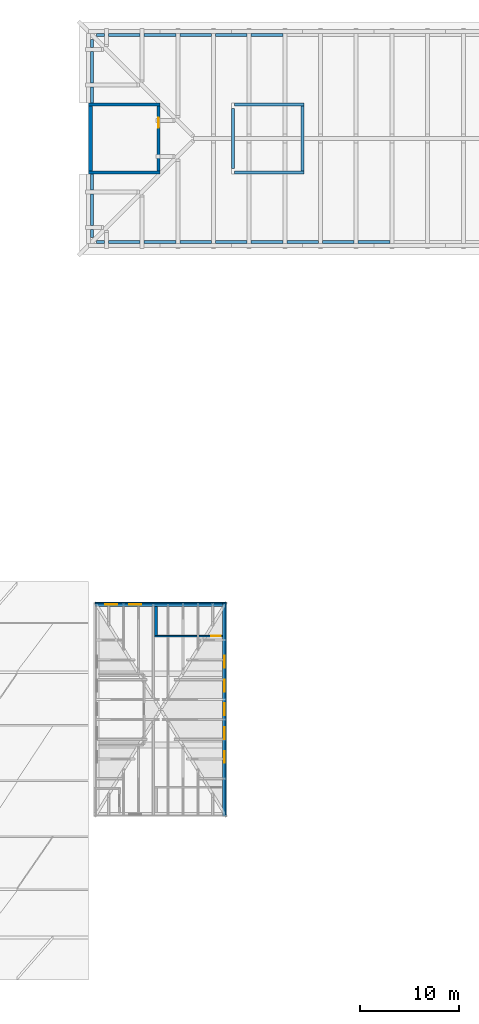
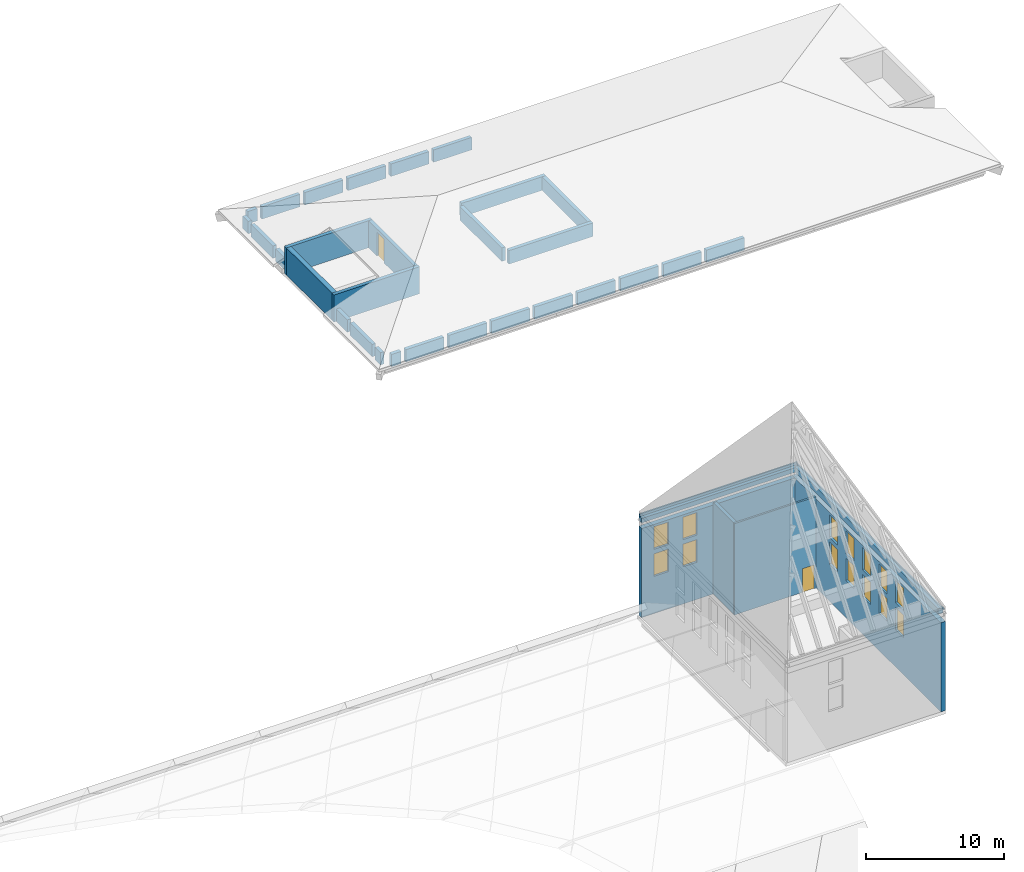
# One storey, part 6 of 8: 37 walls, 14 windows, 2 doors, 16 openings.
"""IFC4 building model written with IfcOpenShell, lengths in metres."""

from ifc_helpers import new_model, si_unit, direction, frame, frame_2d, origin, place, context, subcontext, project, spatial, rectangle, extrude, material, layer, layer_set, type_object, element, fill, save


model = new_model("IFC4")

# Units and contexts
model_context = context("Model", 3, precision=1e-05, world=origin(), true_north=direction((0.0, 1.0)))
body_context = subcontext(model_context, "Body", "Model", "MODEL_VIEW")
ifc_project = project(units=[si_unit("LENGTHUNIT", "METRE"), si_unit("AREAUNIT", "SQUARE_METRE"), si_unit("VOLUMEUNIT", "CUBIC_METRE"), si_unit("PLANEANGLEUNIT", "RADIAN"), si_unit("MASSUNIT", "GRAM", prefix="KILO")], contexts=[model_context])

# Site, building, storey
site_placement = place(None, origin())
site = spatial("IfcSite", under=ifc_project, at=site_placement, CompositionType="ELEMENT")
building_placement = place(site_placement, origin())
building = spatial("IfcBuilding", under=site, at=building_placement, Name="Vermilion Court Aquatics Centre", CompositionType="ELEMENT")
storey_placement = place(building_placement, frame((0.0, 0.0, 23.300048828125)))
storey = spatial("IfcBuildingStorey", under=building, at=storey_placement, Name="ROOF", CompositionType="ELEMENT", Elevation=23.300048828125)

# Walls
ifc_material_1 = material(Name="Terracotta cladding", Category="masonry")
ifc_layer_1 = layer(ifc_material_1, 0.1201171875)
ifc_layer_set_1 = layer_set([ifc_layer_1], Name="Diving Tower crown eaves fascia 120")
wall_type_1 = type_object("IfcWallType", Name="Diving Tower crown eaves fascia 120", PredefinedType="PARAPET", material=ifc_layer_set_1)
wall_1_placement = place(storey_placement, frame((144.64990234375, 57.5400390625, 8.792724609375), z_axis=(0.0, 0.0, 1.0), x_axis=(1.0, 0.0, 0.0)))
element("IfcWall", 1, at=wall_1_placement, inside=storey, type_object=wall_type_1, Name="Diving Tower crown eaves fascia N", PredefinedType="PARAPET", context=body_context, shape_type="SweptSolid", body=[
    extrude(rectangle(XDim=13.25, YDim=0.1201171875, at=frame_2d((6.625, 0.0))), origin(), (0.0, 0.0, 1.0), 0.212890625),
])
wall_2_placement = place(storey_placement, frame((157.840087890625, 36.1201171875, 8.915283203125), z_axis=(0.0, 0.0, 1.0), x_axis=(0.0, 1.0, 0.0)))
element("IfcWall", 2, at=wall_2_placement, inside=storey, type_object=wall_type_1, Name="Diving Tower crown eaves fascia E", PredefinedType="PARAPET", context=body_context, shape_type="SweptSolid", body=[
    extrude(rectangle(XDim=21.35986328125, YDim=0.1201171875, at=frame_2d((10.679931640625, 0.0))), origin(), (0.0, 0.0, 1.0), 0.006103515625),
])
ifc_material_2 = material(Name="Concrete 8000 psi", Category="concrete")
ifc_layer_2 = layer(ifc_material_2, 0.39990234375)
ifc_layer_set_2 = layer_set([ifc_layer_2], Name="Diving Tower crown eaves kerb 400")
wall_type_2 = type_object("IfcWallType", Name="Diving Tower crown eaves kerb 400", PredefinedType="PARAPET", material=ifc_layer_set_2)
wall_3_placement = place(storey_placement, frame((144.64990234375, 57.39990234375, 8.39990234375), z_axis=(0.0, 0.0, 1.0), x_axis=(1.0, 0.0, 0.0)))
element("IfcWall", 3, at=wall_3_placement, inside=storey, type_object=wall_type_2, Name="Diving Tower crown eaves kerb N", PredefinedType="PARAPET", context=body_context, shape_type="SweptSolid", body=[
    extrude(rectangle(XDim=13.25, YDim=0.39990234375, at=frame_2d((6.625, 0.0))), origin(), (0.0, 0.0, 1.0), 0.392822265625),
])
wall_4_placement = place(storey_placement, frame((157.699951171875, 36.39990234375, 8.39990234375), z_axis=(0.0, 0.0, 1.0), x_axis=(0.0, 1.0, 0.0)))
element("IfcWall", 4, at=wall_4_placement, inside=storey, type_object=wall_type_2, Name="Diving Tower crown eaves kerb E", PredefinedType="PARAPET", context=body_context, shape_type="SweptSolid", body=[
    extrude(rectangle(XDim=20.800048828125, YDim=0.39990234375, at=frame_2d((10.39990234375, 0.0))), origin(), (0.0, 0.0, 1.0), 0.515380859375),
])

# Wall, openings, windows
ifc_material_3 = material(Name="Brick masonry", Category="masonry")
ifc_layer_3 = layer(ifc_material_3, 0.39990234375)
ifc_layer_set_3 = layer_set([ifc_layer_3], Name="Diving Tower plant shaft wall 400")
wall_type_3 = type_object("IfcWallType", Name="Diving Tower plant shaft wall 400", PredefinedType="SOLIDWALL", material=ifc_layer_set_3)
wall_5_placement = place(storey_placement, frame((144.64990234375, 57.39990234375, 0.0), z_axis=(0.0, 0.0, 1.0), x_axis=(1.0, 0.0, 0.0)))
wall_5 = element("IfcWall", 5, at=wall_5_placement, inside=storey, type_object=wall_type_3, Name="Diving Tower plant shaft wall north", PredefinedType="SOLIDWALL", context=body_context, shape_type="SweptSolid", body=[
    extrude(rectangle(XDim=12.85009765625, YDim=0.39990234375, at=frame_2d((6.425048828125, 0.0))), origin(), (0.0, 0.0, 1.0), 7.89990234375),
])
opening_1_placement = place(wall_5_placement, frame((1.050048828125, 0.0, 3.300048828125)))
opening_1 = element("IfcOpeningElement", 6, at=opening_1_placement, cuts=wall_5, Name="Opening UWN13", PredefinedType="OPENING", context=body_context, shape_type="SweptSolid", body=[
    extrude(rectangle(XDim=1.199951171875, YDim=2.0, at=frame_2d((0.60009765625, 1.0))), frame((0.0, 0.2099609375, 0.0), z_axis=(0.0, -1.0, 0.0), x_axis=(1.0, 0.0, 0.0)), (0.0, 0.0, 1.0), 0.419921875),
])
opening_2_placement = place(wall_5_placement, frame((3.449951171875, 0.0, 3.300048828125)))
opening_2 = element("IfcOpeningElement", 7, at=opening_2_placement, cuts=wall_5, Name="Opening UWN13", PredefinedType="OPENING", context=body_context, shape_type="SweptSolid", body=[
    extrude(rectangle(XDim=1.199951171875, YDim=2.0, at=frame_2d((0.60009765625, 1.0))), frame((0.0, 0.2099609375, 0.0), z_axis=(0.0, -1.0, 0.0), x_axis=(1.0, 0.0, 0.0)), (0.0, 0.0, 1.0), 0.419921875),
])
opening_3_placement = place(wall_5_placement, frame((1.050048828125, 0.0, 5.699951171875)))
opening_3 = element("IfcOpeningElement", 8, at=opening_3_placement, cuts=wall_5, Name="Opening UWN13", PredefinedType="OPENING", context=body_context, shape_type="SweptSolid", body=[
    extrude(rectangle(XDim=1.199951171875, YDim=2.0, at=frame_2d((0.60009765625, 1.0))), frame((0.0, 0.2099609375, 0.0), z_axis=(0.0, -1.0, 0.0), x_axis=(1.0, 0.0, 0.0)), (0.0, 0.0, 1.0), 0.419921875),
])
opening_4_placement = place(wall_5_placement, frame((3.449951171875, 0.0, 5.699951171875)))
opening_4 = element("IfcOpeningElement", 9, at=opening_4_placement, cuts=wall_5, Name="Opening UWN13", PredefinedType="OPENING", context=body_context, shape_type="SweptSolid", body=[
    extrude(rectangle(XDim=1.199951171875, YDim=2.0, at=frame_2d((0.60009765625, 1.0))), frame((0.0, 0.2099609375, 0.0), z_axis=(0.0, -1.0, 0.0), x_axis=(1.0, 0.0, 0.0)), (0.0, 0.0, 1.0), 0.419921875),
])
ifc_material_4 = material(Name="Aluminium 6063-T5", Category="aluminium")
window_type = type_object("IfcWindowType", Name="Diving Tower plant louvre 1200x2000", PartitioningType="SINGLE_PANEL", PredefinedType="WINDOW", material=ifc_material_4)
window_1_placement = place(opening_1_placement, origin())
window_1 = element("IfcWindow", 10, at=window_1_placement, inside=storey, type_object=window_type, Name="Diving Tower plant louvre N11 band 1", OverallHeight=2.0, OverallWidth=1.199951171875, PartitioningType="SINGLE_PANEL", PredefinedType="WINDOW", context=body_context, shape_type="SweptSolid", body=[
    extrude(rectangle(XDim=1.199951171875, YDim=2.0, at=frame_2d((0.60009765625, 1.0))), frame((0.0, 0.030029296875, 0.0), z_axis=(0.0, -1.0, 0.0), x_axis=(1.0, 0.0, 0.0)), (0.0, 0.0, 1.0), 0.06005859375),
])
fill(opening_1, window_1)
window_2_placement = place(opening_2_placement, origin())
window_2 = element("IfcWindow", 11, at=window_2_placement, inside=storey, type_object=window_type, Name="Diving Tower plant louvre N12 band 1", OverallHeight=2.0, OverallWidth=1.199951171875, PartitioningType="SINGLE_PANEL", PredefinedType="WINDOW", context=body_context, shape_type="SweptSolid", body=[
    extrude(rectangle(XDim=1.199951171875, YDim=2.0, at=frame_2d((0.60009765625, 1.0))), frame((0.0, 0.030029296875, 0.0), z_axis=(0.0, -1.0, 0.0), x_axis=(1.0, 0.0, 0.0)), (0.0, 0.0, 1.0), 0.06005859375),
])
fill(opening_2, window_2)
window_3_placement = place(opening_3_placement, origin())
window_3 = element("IfcWindow", 12, at=window_3_placement, inside=storey, type_object=window_type, Name="Diving Tower plant louvre N11 band 2", OverallHeight=2.0, OverallWidth=1.199951171875, PartitioningType="SINGLE_PANEL", PredefinedType="WINDOW", context=body_context, shape_type="SweptSolid", body=[
    extrude(rectangle(XDim=1.199951171875, YDim=2.0, at=frame_2d((0.60009765625, 1.0))), frame((0.0, 0.030029296875, 0.0), z_axis=(0.0, -1.0, 0.0), x_axis=(1.0, 0.0, 0.0)), (0.0, 0.0, 1.0), 0.06005859375),
])
fill(opening_3, window_3)
window_4_placement = place(opening_4_placement, origin())
window_4 = element("IfcWindow", 13, at=window_4_placement, inside=storey, type_object=window_type, Name="Diving Tower plant louvre N12 band 2", OverallHeight=2.0, OverallWidth=1.199951171875, PartitioningType="SINGLE_PANEL", PredefinedType="WINDOW", context=body_context, shape_type="SweptSolid", body=[
    extrude(rectangle(XDim=1.199951171875, YDim=2.0, at=frame_2d((0.60009765625, 1.0))), frame((0.0, 0.030029296875, 0.0), z_axis=(0.0, -1.0, 0.0), x_axis=(1.0, 0.0, 0.0)), (0.0, 0.0, 1.0), 0.06005859375),
])
fill(opening_4, window_4)

wall_6_placement = place(storey_placement, frame((157.699951171875, 36.0, 0.0), z_axis=(0.0, 0.0, 1.0), x_axis=(0.0, 1.0, 0.0)))
wall_6 = element("IfcWall", 14, at=wall_6_placement, inside=storey, type_object=wall_type_3, Name="Diving Tower plant shaft wall east", PredefinedType="SOLIDWALL", context=body_context, shape_type="SweptSolid", body=[
    extrude(rectangle(XDim=21.60009765625, YDim=0.39990234375, at=frame_2d((10.800048828125, 0.0))), origin(), (0.0, 0.0, 1.0), 7.89990234375),
])
opening_5_placement = place(wall_6_placement, frame((5.39990234375, 0.0, 3.300048828125)))
opening_5 = element("IfcOpeningElement", 15, at=opening_5_placement, cuts=wall_6, Name="Opening UWN13", PredefinedType="OPENING", context=body_context, shape_type="SweptSolid", body=[
    extrude(rectangle(XDim=1.199951171875, YDim=2.0, at=frame_2d((0.60009765625, 1.0))), frame((0.0, 0.2099609375, 0.0), z_axis=(0.0, -1.0, 0.0), x_axis=(1.0, 0.0, 0.0)), (0.0, 0.0, 1.0), 0.419921875),
])
opening_6_placement = place(wall_6_placement, frame((7.800048828125, 0.0, 3.300048828125)))
opening_6 = element("IfcOpeningElement", 16, at=opening_6_placement, cuts=wall_6, Name="Opening UWN13", PredefinedType="OPENING", context=body_context, shape_type="SweptSolid", body=[
    extrude(rectangle(XDim=1.199951171875, YDim=2.0, at=frame_2d((0.60009765625, 1.0))), frame((0.0, 0.2099609375, 0.0), z_axis=(0.0, -1.0, 0.0), x_axis=(1.0, 0.0, 0.0)), (0.0, 0.0, 1.0), 0.419921875),
])
opening_7_placement = place(wall_6_placement, frame((10.199951171875, 0.0, 3.300048828125)))
opening_7 = element("IfcOpeningElement", 17, at=opening_7_placement, cuts=wall_6, Name="Opening UWN13", PredefinedType="OPENING", context=body_context, shape_type="SweptSolid", body=[
    extrude(rectangle(XDim=1.199951171875, YDim=2.0, at=frame_2d((0.60009765625, 1.0))), frame((0.0, 0.2099609375, 0.0), z_axis=(0.0, -1.0, 0.0), x_axis=(1.0, 0.0, 0.0)), (0.0, 0.0, 1.0), 0.419921875),
])
opening_8_placement = place(wall_6_placement, frame((12.60009765625, 0.0, 3.300048828125)))
opening_8 = element("IfcOpeningElement", 18, at=opening_8_placement, cuts=wall_6, Name="Opening UWN13", PredefinedType="OPENING", context=body_context, shape_type="SweptSolid", body=[
    extrude(rectangle(XDim=1.199951171875, YDim=2.0, at=frame_2d((0.60009765625, 1.0))), frame((0.0, 0.2099609375, 0.0), z_axis=(0.0, -1.0, 0.0), x_axis=(1.0, 0.0, 0.0)), (0.0, 0.0, 1.0), 0.419921875),
])
opening_9_placement = place(wall_6_placement, frame((15.0, 0.0, 3.300048828125)))
opening_9 = element("IfcOpeningElement", 19, at=opening_9_placement, cuts=wall_6, Name="Opening UWN13", PredefinedType="OPENING", context=body_context, shape_type="SweptSolid", body=[
    extrude(rectangle(XDim=1.199951171875, YDim=2.0, at=frame_2d((0.60009765625, 1.0))), frame((0.0, 0.2099609375, 0.0), z_axis=(0.0, -1.0, 0.0), x_axis=(1.0, 0.0, 0.0)), (0.0, 0.0, 1.0), 0.419921875),
])
opening_10_placement = place(wall_6_placement, frame((5.39990234375, 0.0, 5.699951171875)))
opening_10 = element("IfcOpeningElement", 20, at=opening_10_placement, cuts=wall_6, Name="Opening UWN13", PredefinedType="OPENING", context=body_context, shape_type="SweptSolid", body=[
    extrude(rectangle(XDim=1.199951171875, YDim=2.0, at=frame_2d((0.60009765625, 1.0))), frame((0.0, 0.2099609375, 0.0), z_axis=(0.0, -1.0, 0.0), x_axis=(1.0, 0.0, 0.0)), (0.0, 0.0, 1.0), 0.419921875),
])
opening_11_placement = place(wall_6_placement, frame((7.800048828125, 0.0, 5.699951171875)))
opening_11 = element("IfcOpeningElement", 21, at=opening_11_placement, cuts=wall_6, Name="Opening UWN13", PredefinedType="OPENING", context=body_context, shape_type="SweptSolid", body=[
    extrude(rectangle(XDim=1.199951171875, YDim=2.0, at=frame_2d((0.60009765625, 1.0))), frame((0.0, 0.2099609375, 0.0), z_axis=(0.0, -1.0, 0.0), x_axis=(1.0, 0.0, 0.0)), (0.0, 0.0, 1.0), 0.419921875),
])
opening_12_placement = place(wall_6_placement, frame((10.199951171875, 0.0, 5.699951171875)))
opening_12 = element("IfcOpeningElement", 22, at=opening_12_placement, cuts=wall_6, Name="Opening UWN13", PredefinedType="OPENING", context=body_context, shape_type="SweptSolid", body=[
    extrude(rectangle(XDim=1.199951171875, YDim=2.0, at=frame_2d((0.60009765625, 1.0))), frame((0.0, 0.2099609375, 0.0), z_axis=(0.0, -1.0, 0.0), x_axis=(1.0, 0.0, 0.0)), (0.0, 0.0, 1.0), 0.419921875),
])
opening_13_placement = place(wall_6_placement, frame((12.60009765625, 0.0, 5.699951171875)))
opening_13 = element("IfcOpeningElement", 23, at=opening_13_placement, cuts=wall_6, Name="Opening UWN13", PredefinedType="OPENING", context=body_context, shape_type="SweptSolid", body=[
    extrude(rectangle(XDim=1.199951171875, YDim=2.0, at=frame_2d((0.60009765625, 1.0))), frame((0.0, 0.2099609375, 0.0), z_axis=(0.0, -1.0, 0.0), x_axis=(1.0, 0.0, 0.0)), (0.0, 0.0, 1.0), 0.419921875),
])
opening_14_placement = place(wall_6_placement, frame((15.0, 0.0, 5.699951171875)))
opening_14 = element("IfcOpeningElement", 24, at=opening_14_placement, cuts=wall_6, Name="Opening UWN13", PredefinedType="OPENING", context=body_context, shape_type="SweptSolid", body=[
    extrude(rectangle(XDim=1.199951171875, YDim=2.0, at=frame_2d((0.60009765625, 1.0))), frame((0.0, 0.2099609375, 0.0), z_axis=(0.0, -1.0, 0.0), x_axis=(1.0, 0.0, 0.0)), (0.0, 0.0, 1.0), 0.419921875),
])
window_5_placement = place(opening_5_placement, origin())
window_5 = element("IfcWindow", 25, at=window_5_placement, inside=storey, type_object=window_type, Name="Diving Tower plant louvre E1 band 1", OverallHeight=2.0, OverallWidth=1.199951171875, PartitioningType="SINGLE_PANEL", PredefinedType="WINDOW", context=body_context, shape_type="SweptSolid", body=[
    extrude(rectangle(XDim=1.199951171875, YDim=2.0, at=frame_2d((0.60009765625, 1.0))), frame((0.0, 0.030029296875, 0.0), z_axis=(0.0, -1.0, 0.0), x_axis=(1.0, 0.0, 0.0)), (0.0, 0.0, 1.0), 0.06005859375),
])
fill(opening_5, window_5)
window_6_placement = place(opening_6_placement, origin())
window_6 = element("IfcWindow", 26, at=window_6_placement, inside=storey, type_object=window_type, Name="Diving Tower plant louvre E2 band 1", OverallHeight=2.0, OverallWidth=1.199951171875, PartitioningType="SINGLE_PANEL", PredefinedType="WINDOW", context=body_context, shape_type="SweptSolid", body=[
    extrude(rectangle(XDim=1.199951171875, YDim=2.0, at=frame_2d((0.60009765625, 1.0))), frame((0.0, 0.030029296875, 0.0), z_axis=(0.0, -1.0, 0.0), x_axis=(1.0, 0.0, 0.0)), (0.0, 0.0, 1.0), 0.06005859375),
])
fill(opening_6, window_6)
window_7_placement = place(opening_7_placement, origin())
window_7 = element("IfcWindow", 27, at=window_7_placement, inside=storey, type_object=window_type, Name="Diving Tower plant louvre E3 band 1", OverallHeight=2.0, OverallWidth=1.199951171875, PartitioningType="SINGLE_PANEL", PredefinedType="WINDOW", context=body_context, shape_type="SweptSolid", body=[
    extrude(rectangle(XDim=1.199951171875, YDim=2.0, at=frame_2d((0.60009765625, 1.0))), frame((0.0, 0.030029296875, 0.0), z_axis=(0.0, -1.0, 0.0), x_axis=(1.0, 0.0, 0.0)), (0.0, 0.0, 1.0), 0.06005859375),
])
fill(opening_7, window_7)
window_8_placement = place(opening_8_placement, origin())
window_8 = element("IfcWindow", 28, at=window_8_placement, inside=storey, type_object=window_type, Name="Diving Tower plant louvre E4 band 1", OverallHeight=2.0, OverallWidth=1.199951171875, PartitioningType="SINGLE_PANEL", PredefinedType="WINDOW", context=body_context, shape_type="SweptSolid", body=[
    extrude(rectangle(XDim=1.199951171875, YDim=2.0, at=frame_2d((0.60009765625, 1.0))), frame((0.0, 0.030029296875, 0.0), z_axis=(0.0, -1.0, 0.0), x_axis=(1.0, 0.0, 0.0)), (0.0, 0.0, 1.0), 0.06005859375),
])
fill(opening_8, window_8)
window_9_placement = place(opening_9_placement, origin())
window_9 = element("IfcWindow", 29, at=window_9_placement, inside=storey, type_object=window_type, Name="Diving Tower plant louvre E5 band 1", OverallHeight=2.0, OverallWidth=1.199951171875, PartitioningType="SINGLE_PANEL", PredefinedType="WINDOW", context=body_context, shape_type="SweptSolid", body=[
    extrude(rectangle(XDim=1.199951171875, YDim=2.0, at=frame_2d((0.60009765625, 1.0))), frame((0.0, 0.030029296875, 0.0), z_axis=(0.0, -1.0, 0.0), x_axis=(1.0, 0.0, 0.0)), (0.0, 0.0, 1.0), 0.06005859375),
])
fill(opening_9, window_9)
window_10_placement = place(opening_10_placement, origin())
window_10 = element("IfcWindow", 30, at=window_10_placement, inside=storey, type_object=window_type, Name="Diving Tower plant louvre E1 band 2", OverallHeight=2.0, OverallWidth=1.199951171875, PartitioningType="SINGLE_PANEL", PredefinedType="WINDOW", context=body_context, shape_type="SweptSolid", body=[
    extrude(rectangle(XDim=1.199951171875, YDim=2.0, at=frame_2d((0.60009765625, 1.0))), frame((0.0, 0.030029296875, 0.0), z_axis=(0.0, -1.0, 0.0), x_axis=(1.0, 0.0, 0.0)), (0.0, 0.0, 1.0), 0.06005859375),
])
fill(opening_10, window_10)
window_11_placement = place(opening_11_placement, origin())
window_11 = element("IfcWindow", 31, at=window_11_placement, inside=storey, type_object=window_type, Name="Diving Tower plant louvre E2 band 2", OverallHeight=2.0, OverallWidth=1.199951171875, PartitioningType="SINGLE_PANEL", PredefinedType="WINDOW", context=body_context, shape_type="SweptSolid", body=[
    extrude(rectangle(XDim=1.199951171875, YDim=2.0, at=frame_2d((0.60009765625, 1.0))), frame((0.0, 0.030029296875, 0.0), z_axis=(0.0, -1.0, 0.0), x_axis=(1.0, 0.0, 0.0)), (0.0, 0.0, 1.0), 0.06005859375),
])
fill(opening_11, window_11)
window_12_placement = place(opening_12_placement, origin())
window_12 = element("IfcWindow", 32, at=window_12_placement, inside=storey, type_object=window_type, Name="Diving Tower plant louvre E3 band 2", OverallHeight=2.0, OverallWidth=1.199951171875, PartitioningType="SINGLE_PANEL", PredefinedType="WINDOW", context=body_context, shape_type="SweptSolid", body=[
    extrude(rectangle(XDim=1.199951171875, YDim=2.0, at=frame_2d((0.60009765625, 1.0))), frame((0.0, 0.030029296875, 0.0), z_axis=(0.0, -1.0, 0.0), x_axis=(1.0, 0.0, 0.0)), (0.0, 0.0, 1.0), 0.06005859375),
])
fill(opening_12, window_12)
window_13_placement = place(opening_13_placement, origin())
window_13 = element("IfcWindow", 33, at=window_13_placement, inside=storey, type_object=window_type, Name="Diving Tower plant louvre E4 band 2", OverallHeight=2.0, OverallWidth=1.199951171875, PartitioningType="SINGLE_PANEL", PredefinedType="WINDOW", context=body_context, shape_type="SweptSolid", body=[
    extrude(rectangle(XDim=1.199951171875, YDim=2.0, at=frame_2d((0.60009765625, 1.0))), frame((0.0, 0.030029296875, 0.0), z_axis=(0.0, -1.0, 0.0), x_axis=(1.0, 0.0, 0.0)), (0.0, 0.0, 1.0), 0.06005859375),
])
fill(opening_13, window_13)
window_14_placement = place(opening_14_placement, origin())
window_14 = element("IfcWindow", 34, at=window_14_placement, inside=storey, type_object=window_type, Name="Diving Tower plant louvre E5 band 2", OverallHeight=2.0, OverallWidth=1.199951171875, PartitioningType="SINGLE_PANEL", PredefinedType="WINDOW", context=body_context, shape_type="SweptSolid", body=[
    extrude(rectangle(XDim=1.199951171875, YDim=2.0, at=frame_2d((0.60009765625, 1.0))), frame((0.0, 0.030029296875, 0.0), z_axis=(0.0, -1.0, 0.0), x_axis=(1.0, 0.0, 0.0)), (0.0, 0.0, 1.0), 0.06005859375),
])
fill(opening_14, window_14)

# Wall, opening, door
ifc_material_5 = material(Name="Concrete 5000 psi", Category="concrete")
ifc_layer_4 = layer(ifc_material_5, 0.14990234375)
ifc_layer_set_4 = layer_set([ifc_layer_4], Name="Diving Tower stair lane wall 150")
wall_type_4 = type_object("IfcWallType", Name="Diving Tower stair lane wall 150", PredefinedType="SHEAR", material=ifc_layer_set_4)
wall_7_placement = place(storey_placement, frame((150.64990234375, 54.199951171875, 0.0), z_axis=(0.0, 0.0, 1.0), x_axis=(1.0, 0.0, 0.0)))
wall_7 = element("IfcWall", 35, at=wall_7_placement, inside=storey, type_object=wall_type_4, Name="Diving Tower stair 2 head lane wall", PredefinedType="SHEAR", context=body_context, shape_type="SweptSolid", body=[
    extrude(rectangle(XDim=6.85009765625, YDim=0.14990234375, at=frame_2d((3.425048828125, 0.0))), origin(), (0.0, 0.0, 1.0), 8.099853515625),
])
opening_15_placement = place(wall_7_placement, frame((5.699951171875, 0.0, 0.0)))
opening_15 = element("IfcOpeningElement", 36, at=opening_15_placement, cuts=wall_7, Name="Opening UROOF-005", PredefinedType="OPENING", context=body_context, shape_type="SweptSolid", body=[
    extrude(rectangle(XDim=1.0, YDim=2.10009765625, at=frame_2d((0.5, 1.050048828125))), frame((0.0, 0.0849609375, 0.0), z_axis=(0.0, -1.0, 0.0), x_axis=(1.0, 0.0, 0.0)), (0.0, 0.0, 1.0), 0.169921875),
])
ifc_material_6 = material(Name="Hollow metal")
door_type_1 = type_object("IfcDoorType", Name="Diving Tower stair door FD90 1000x2100", OperationType="NOTDEFINED", PredefinedType="DOOR", material=ifc_material_6)
door_1_placement = place(opening_15_placement, origin())
door_1 = element("IfcDoor", 37, at=door_1_placement, inside=storey, type_object=door_type_1, Name="Diving Stair 2 plant door", OperationType="SINGLE_SWING_RIGHT", OverallHeight=2.10009765625, OverallWidth=1.0, PredefinedType="DOOR", context=body_context, shape_type="SweptSolid", body=[
    extrude(rectangle(XDim=1.0, YDim=2.10009765625, at=frame_2d((0.5, 1.050048828125))), frame((0.0, 0.02490234375, 0.0), z_axis=(0.0, -1.0, 0.0), x_axis=(1.0, 0.0, 0.0)), (0.0, 0.0, 1.0), 0.050048828125),
])
fill(opening_15, door_1)

# Walls
ifc_material_7 = material(Name="Concrete 8000 psi", Category="concrete")
ifc_layer_5 = layer(ifc_material_7, 0.300048828125)
ifc_layer_set_5 = layer_set([ifc_layer_5], Name="Diving Tower stair wall 300")
wall_type_5 = type_object("IfcWallType", Name="Diving Tower stair wall 300", PredefinedType="SHEAR", material=ifc_layer_set_5)
wall_8_placement = place(storey_placement, frame((150.800048828125, 54.27490234375, 0.0), z_axis=(0.0, 0.0, 1.0), x_axis=(0.0, 1.0, 0.0)))
element("IfcWall", 38, at=wall_8_placement, inside=storey, type_object=wall_type_5, Name="Diving Tower stair 2 head west wall", PredefinedType="SHEAR", context=body_context, shape_type="SweptSolid", body=[
    extrude(rectangle(XDim=2.925048828125, YDim=0.300048828125, at=frame_2d((1.46240234375, 0.0))), origin(), (0.0, 0.0, 1.0), 8.099853515625),
])
ifc_material_8 = material(Name="Concrete 8000 psi", Category="concrete")
ifc_layer_6 = layer(ifc_material_8, 0.39990234375)
ifc_layer_set_6 = layer_set([ifc_layer_6], Name="North block core brick-faced shear wall 400")
wall_type_6 = type_object("IfcWallType", Name="North block core brick-faced shear wall 400", PredefinedType="SHEAR", material=ifc_layer_set_6)
wall_9_placement = place(storey_placement, frame((144.199951171875, 101.10009765625, 0.0), z_axis=(0.0, 0.0, 1.0), x_axis=(0.0, 1.0, 0.0)))
element("IfcWall", 39, at=wall_9_placement, inside=storey, type_object=wall_type_6, Name="Stair 1 turret wall outer ROOF", PredefinedType="SHEAR", context=body_context, shape_type="SweptSolid", body=[
    extrude(rectangle(XDim=6.599853515625, YDim=0.39990234375, at=frame_2d((3.2998046875, 0.0))), origin(), (0.0, 0.0, 1.0), 2.39990234375),
])
ifc_material_9 = material(Name="Concrete 5000 psi", Category="concrete")
ifc_layer_7 = layer(ifc_material_9, 0.300048828125)
ifc_layer_set_7 = layer_set([ifc_layer_7], Name="North block lift overrun wall 300")
wall_type_7 = type_object("IfcWallType", Name="North block lift overrun wall 300", PredefinedType="SHEAR", material=ifc_layer_set_7)
for number, where, z_axis, x_axis, name in (
    (40, (158.699951171875, 100.949951171875, 0.0), (0.0, 0.0, 1.0), (1.0, 0.0, 0.0), "Lift overrun wall south"),
    (41, (158.699951171875, 107.85009765625, 0.0), (0.0, 0.0, 1.0), (1.0, 0.0, 0.0), "Lift overrun wall north"),
):
    element("IfcWall", number, at=place(storey_placement, frame(where, z_axis=z_axis, x_axis=x_axis)), inside=storey, type_object=wall_type_7, Name=name, PredefinedType="SHEAR", context=body_context, shape_type="SweptSolid", body=[
        extrude(rectangle(XDim=7.050048828125, YDim=0.300048828125, at=frame_2d((3.52490234375, 0.0))), origin(), (0.0, 0.0, 1.0), 1.199951171875),
    ])
wall_10_placement = place(storey_placement, frame((158.550048828125, 101.35009765625, 0.0), z_axis=(0.0, 0.0, 1.0), x_axis=(0.0, 1.0, 0.0)))
element("IfcWall", 42, at=wall_10_placement, inside=storey, type_object=wall_type_7, Name="Lift overrun wall west", PredefinedType="SHEAR", context=body_context, shape_type="SweptSolid", body=[
    extrude(rectangle(XDim=6.099853515625, YDim=0.300048828125, at=frame_2d((3.0498046875, 0.0))), origin(), (0.0, 0.0, 1.0), 1.199951171875),
])
wall_11_placement = place(storey_placement, frame((165.60009765625, 101.10009765625, 0.0), z_axis=(0.0, 0.0, 1.0), x_axis=(0.0, 1.0, 0.0)))
element("IfcWall", 43, at=wall_11_placement, inside=storey, type_object=wall_type_7, Name="Lift overrun wall east", PredefinedType="SHEAR", context=body_context, shape_type="SweptSolid", body=[
    extrude(rectangle(XDim=6.599853515625, YDim=0.300048828125, at=frame_2d((3.2998046875, 0.0))), origin(), (0.0, 0.0, 1.0), 1.199951171875),
])
ifc_material_10 = material(Name="Terracotta cladding", Category="masonry")
ifc_layer_8 = layer(ifc_material_10, 0.300048828125)
ifc_layer_set_8 = layer_set([ifc_layer_8], Name="North block roof parapet 300")
wall_type_8 = type_object("IfcWallType", Name="North block roof parapet 300", PredefinedType="PARAPET", material=ifc_layer_set_8)
wall_12_placement = place(storey_placement, frame((144.800048828125, 93.949951171875, 0.0), z_axis=(0.0, 0.0, 1.0), x_axis=(1.0, 0.0, 0.0)))
element("IfcWall", 44, at=wall_12_placement, inside=storey, type_object=wall_type_8, Name="Roof parapet S1", PredefinedType="PARAPET", context=body_context, shape_type="SweptSolid", body=[
    extrude(rectangle(XDim=0.800048828125, YDim=0.300048828125, at=frame_2d((0.39990234375, 0.0))), origin(), (0.0, 0.0, 1.0), 1.099853515625),
])
for number, where, z_axis, x_axis, name in (
    (45, (146.0, 93.949951171875, 0.0), (0.0, 0.0, 1.0), (1.0, 0.0, 0.0), "Roof parapet S2"),
    (46, (149.60009765625, 93.949951171875, 0.0), (0.0, 0.0, 1.0), (1.0, 0.0, 0.0), "Roof parapet S3"),
    (47, (153.199951171875, 93.949951171875, 0.0), (0.0, 0.0, 1.0), (1.0, 0.0, 0.0), "Roof parapet S4"),
    (48, (156.800048828125, 93.949951171875, 0.0), (0.0, 0.0, 1.0), (1.0, 0.0, 0.0), "Roof parapet S5"),
):
    element("IfcWall", number, at=place(storey_placement, frame(where, z_axis=z_axis, x_axis=x_axis)), inside=storey, type_object=wall_type_8, Name=name, PredefinedType="PARAPET", context=body_context, shape_type="SweptSolid", body=[
        extrude(rectangle(XDim=3.199951171875, YDim=0.300048828125, at=frame_2d((1.60009765625, 0.0))), origin(), (0.0, 0.0, 1.0), 1.099853515625),
    ])
wall_13_placement = place(storey_placement, frame((160.39990234375, 93.949951171875, 0.0), z_axis=(0.0, 0.0, 1.0), x_axis=(1.0, 0.0, 0.0)))
element("IfcWall", 49, at=wall_13_placement, inside=storey, type_object=wall_type_8, Name="Roof parapet S6", PredefinedType="PARAPET", context=body_context, shape_type="SweptSolid", body=[
    extrude(rectangle(XDim=3.2001953125, YDim=0.300048828125, at=frame_2d((1.60009765625, 0.0))), origin(), (0.0, 0.0, 1.0), 1.099853515625),
])
for number, where, z_axis, x_axis, name in (
    (50, (164.0, 93.949951171875, 0.0), (0.0, 0.0, 1.0), (1.0, 0.0, 0.0), "Roof parapet S7"),
    (51, (167.60009765625, 93.949951171875, 0.0), (0.0, 0.0, 1.0), (1.0, 0.0, 0.0), "Roof parapet S8"),
    (52, (171.199951171875, 93.949951171875, 0.0), (0.0, 0.0, 1.0), (1.0, 0.0, 0.0), "Roof parapet S9"),
):
    element("IfcWall", number, at=place(storey_placement, frame(where, z_axis=z_axis, x_axis=x_axis)), inside=storey, type_object=wall_type_8, Name=name, PredefinedType="PARAPET", context=body_context, shape_type="SweptSolid", body=[
        extrude(rectangle(XDim=3.199951171875, YDim=0.300048828125, at=frame_2d((1.60009765625, 0.0))), origin(), (0.0, 0.0, 1.0), 1.099853515625),
    ])
wall_14_placement = place(storey_placement, frame((144.800048828125, 114.85009765625, 0.0), z_axis=(0.0, 0.0, 1.0), x_axis=(1.0, 0.0, 0.0)))
element("IfcWall", 53, at=wall_14_placement, inside=storey, type_object=wall_type_8, Name="Roof parapet N1", PredefinedType="PARAPET", context=body_context, shape_type="SweptSolid", body=[
    extrude(rectangle(XDim=0.800048828125, YDim=0.300048828125, at=frame_2d((0.39990234375, 0.0))), origin(), (0.0, 0.0, 1.0), 1.099853515625),
])
for number, where, z_axis, x_axis, name in (
    (54, (146.0, 114.85009765625, 0.0), (0.0, 0.0, 1.0), (1.0, 0.0, 0.0), "Roof parapet N2"),
    (55, (149.60009765625, 114.85009765625, 0.0), (0.0, 0.0, 1.0), (1.0, 0.0, 0.0), "Roof parapet N3"),
    (56, (153.199951171875, 114.85009765625, 0.0), (0.0, 0.0, 1.0), (1.0, 0.0, 0.0), "Roof parapet N4"),
    (57, (156.800048828125, 114.85009765625, 0.0), (0.0, 0.0, 1.0), (1.0, 0.0, 0.0), "Roof parapet N5"),
):
    element("IfcWall", number, at=place(storey_placement, frame(where, z_axis=z_axis, x_axis=x_axis)), inside=storey, type_object=wall_type_8, Name=name, PredefinedType="PARAPET", context=body_context, shape_type="SweptSolid", body=[
        extrude(rectangle(XDim=3.199951171875, YDim=0.300048828125, at=frame_2d((1.60009765625, 0.0))), origin(), (0.0, 0.0, 1.0), 1.099853515625),
    ])
wall_15_placement = place(storey_placement, frame((160.39990234375, 114.85009765625, 0.0), z_axis=(0.0, 0.0, 1.0), x_axis=(1.0, 0.0, 0.0)))
element("IfcWall", 58, at=wall_15_placement, inside=storey, type_object=wall_type_8, Name="Roof parapet N6", PredefinedType="PARAPET", context=body_context, shape_type="SweptSolid", body=[
    extrude(rectangle(XDim=3.2001953125, YDim=0.300048828125, at=frame_2d((1.60009765625, 0.0))), origin(), (0.0, 0.0, 1.0), 1.099853515625),
])
wall_16_placement = place(storey_placement, frame((144.35009765625, 94.39990234375, 0.0), z_axis=(0.0, 0.0, 1.0), x_axis=(0.0, 1.0, 0.0)))
element("IfcWall", 59, at=wall_16_placement, inside=storey, type_object=wall_type_8, Name="Roof parapet W1", PredefinedType="PARAPET", context=body_context, shape_type="SweptSolid", body=[
    extrude(rectangle(XDim=0.800048828125, YDim=0.300048828125, at=frame_2d((0.39990234375, 0.0))), origin(), (0.0, 0.0, 1.0), 1.099853515625),
])
wall_17_placement = place(storey_placement, frame((144.35009765625, 95.60009765625, 0.0), z_axis=(0.0, 0.0, 1.0), x_axis=(0.0, 1.0, 0.0)))
element("IfcWall", 60, at=wall_17_placement, inside=storey, type_object=wall_type_8, Name="Roof parapet W2", PredefinedType="PARAPET", context=body_context, shape_type="SweptSolid", body=[
    extrude(rectangle(XDim=3.199951171875, YDim=0.300048828125, at=frame_2d((1.60009765625, 0.0))), origin(), (0.0, 0.0, 1.0), 1.099853515625),
])
for number, where, z_axis, x_axis, name in (
    (61, (144.35009765625, 99.199951171875, 0.0), (0.0, 0.0, 1.0), (0.0, 1.0, 0.0), "Roof parapet W3"),
    (62, (144.35009765625, 108.0, 0.0), (0.0, 0.0, 1.0), (0.0, 1.0, 0.0), "Roof parapet W4"),
):
    element("IfcWall", number, at=place(storey_placement, frame(where, z_axis=z_axis, x_axis=x_axis)), inside=storey, type_object=wall_type_8, Name=name, PredefinedType="PARAPET", context=body_context, shape_type="SweptSolid", body=[
        extrude(rectangle(XDim=1.60009765625, YDim=0.300048828125, at=frame_2d((0.800048828125, 0.0))), origin(), (0.0, 0.0, 1.0), 1.099853515625),
    ])
wall_18_placement = place(storey_placement, frame((144.35009765625, 110.0, 0.0), z_axis=(0.0, 0.0, 1.0), x_axis=(0.0, 1.0, 0.0)))
element("IfcWall", 63, at=wall_18_placement, inside=storey, type_object=wall_type_8, Name="Roof parapet W5", PredefinedType="PARAPET", context=body_context, shape_type="SweptSolid", body=[
    extrude(rectangle(XDim=3.199951171875, YDim=0.300048828125, at=frame_2d((1.60009765625, 0.0))), origin(), (0.0, 0.0, 1.0), 1.099853515625),
])
wall_19_placement = place(storey_placement, frame((144.35009765625, 113.60009765625, 0.0), z_axis=(0.0, 0.0, 1.0), x_axis=(0.0, 1.0, 0.0)))
element("IfcWall", 64, at=wall_19_placement, inside=storey, type_object=wall_type_8, Name="Roof parapet W6", PredefinedType="PARAPET", context=body_context, shape_type="SweptSolid", body=[
    extrude(rectangle(XDim=0.7998046875, YDim=0.300048828125, at=frame_2d((0.39990234375, 0.0))), origin(), (0.0, 0.0, 1.0), 1.099853515625),
])
ifc_material_11 = material(Name="Brick masonry", Category="masonry")
ifc_layer_9 = layer(ifc_material_11, 0.300048828125)
ifc_layer_set_9 = layer_set([ifc_layer_9], Name="North block stair turret wall 300")
wall_type_9 = type_object("IfcWallType", Name="North block stair turret wall 300", PredefinedType="SOLIDWALL", material=ifc_layer_set_9)
for number, where, z_axis, x_axis, name in (
    (65, (144.0, 100.949951171875, 0.0), (0.0, 0.0, 1.0), (1.0, 0.0, 0.0), "Stair 1 turret wall south ROOF"),
    (66, (144.0, 107.85009765625, 0.0), (0.0, 0.0, 1.0), (1.0, 0.0, 0.0), "Stair 1 turret wall north ROOF"),
):
    element("IfcWall", number, at=place(storey_placement, frame(where, z_axis=z_axis, x_axis=x_axis)), inside=storey, type_object=wall_type_9, Name=name, PredefinedType="SOLIDWALL", context=body_context, shape_type="SweptSolid", body=[
        extrude(rectangle(XDim=7.199951171875, YDim=0.300048828125, at=frame_2d((3.60009765625, 0.0))), origin(), (0.0, 0.0, 1.0), 2.39990234375),
    ])

# Wall, opening, door
wall_20_placement = place(storey_placement, frame((151.050048828125, 101.10009765625, 0.0), z_axis=(0.0, 0.0, 1.0), x_axis=(0.0, 1.0, 0.0)))
wall_20 = element("IfcWall", 67, at=wall_20_placement, inside=storey, type_object=wall_type_9, Name="Stair 1 turret wall inner ROOF", PredefinedType="SOLIDWALL", context=body_context, shape_type="SweptSolid", body=[
    extrude(rectangle(XDim=6.599853515625, YDim=0.300048828125, at=frame_2d((3.2998046875, 0.0))), origin(), (0.0, 0.0, 1.0), 2.39990234375),
])
opening_16_placement = place(wall_20_placement, frame((4.39990234375, 0.0, 0.0)))
opening_16 = element("IfcOpeningElement", 68, at=opening_16_placement, cuts=wall_20, Name="Opening UROOF-002", PredefinedType="OPENING", context=body_context, shape_type="SweptSolid", body=[
    extrude(rectangle(XDim=1.0, YDim=2.10009765625, at=frame_2d((0.5, 1.050048828125))), frame((0.0, 0.159912109375, 0.0), z_axis=(0.0, -1.0, 0.0), x_axis=(1.0, 0.0, 0.0)), (0.0, 0.0, 1.0), 0.320068359375),
])
ifc_material_12 = material(Name="Hollow metal")
door_type_2 = type_object("IfcDoorType", Name="North block loft access door FD90 1000x2100", OperationType="NOTDEFINED", PredefinedType="DOOR", material=ifc_material_12)
door_2_placement = place(opening_16_placement, frame((1.0, 0.0, 0.0), z_axis=(0.0, 0.0, 1.0), x_axis=(-1.0, 0.0, 0.0)))
door_2 = element("IfcDoor", 69, at=door_2_placement, inside=storey, type_object=door_type_2, Name="Stair 1 loft door", OperationType="SINGLE_SWING_RIGHT", OverallHeight=2.10009765625, OverallWidth=1.0, PredefinedType="DOOR", context=body_context, shape_type="SweptSolid", body=[
    extrude(rectangle(XDim=1.0, YDim=2.10009765625, at=frame_2d((0.5, 1.050048828125))), frame((0.0, 0.025146484375, 0.0), z_axis=(0.0, -1.0, 0.0), x_axis=(1.0, 0.0, 0.0)), (0.0, 0.0, 1.0), 0.050048828125),
])
fill(opening_16, door_2)

save(model, "model.ifc")
